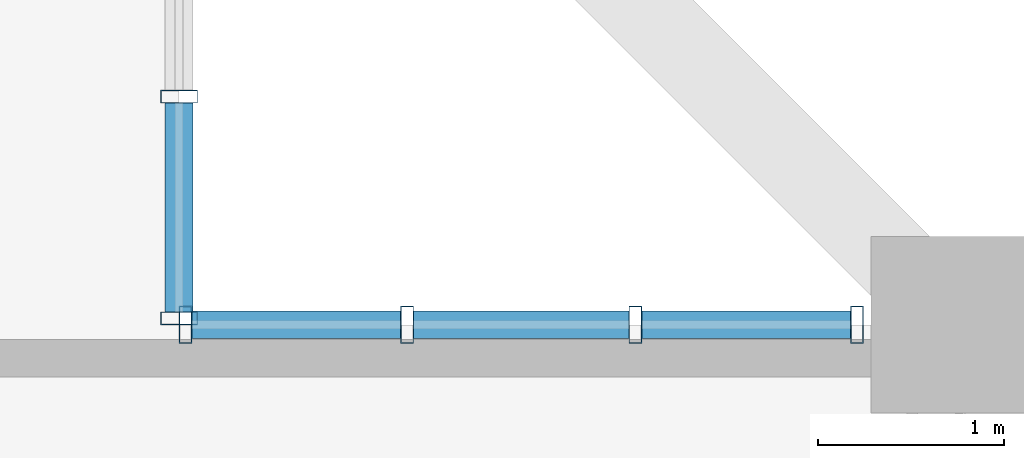
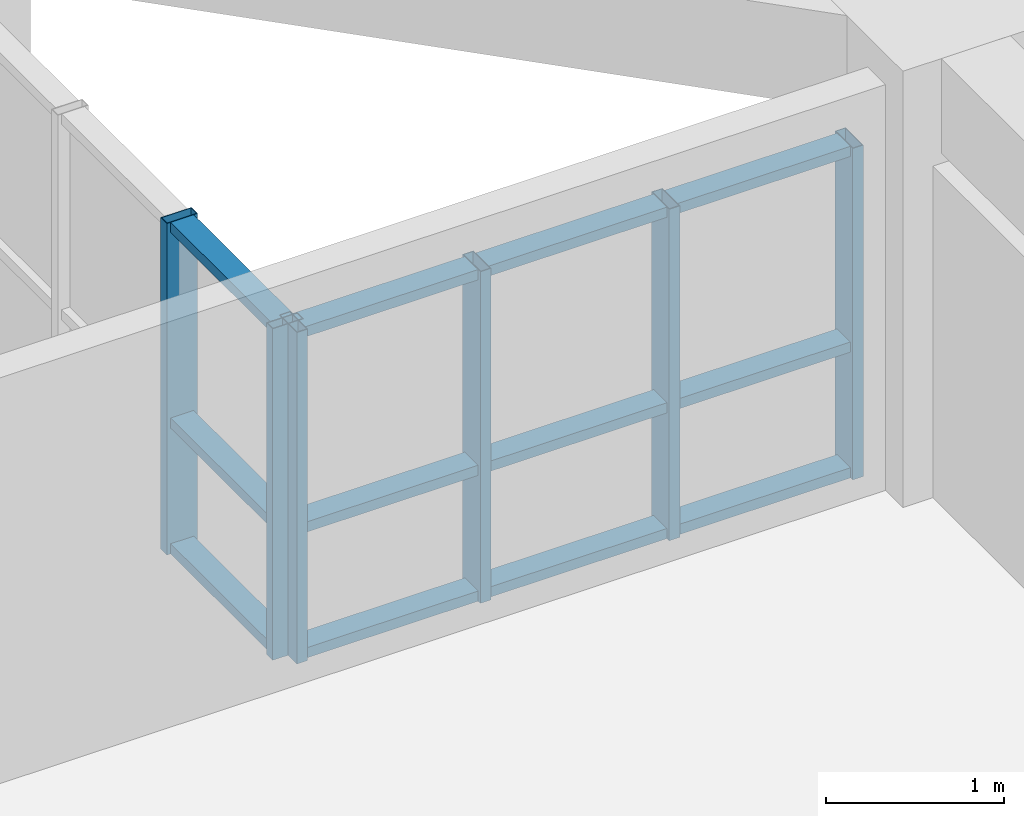
# One storey, part 10 of 24: 18 members, 2 elements without a shape of their own.
"""IFC4 building model written with IfcOpenShell, lengths in metres."""

from ifc_helpers import new_model, si_unit, direction, frame, origin, origin_2d, place, context, subcontext, project, spatial, hollow_rectangle, extrude, source, transform, mapped, material, layer, layer_set, material_profile, profile_set, type_object, element, aggregate, save


model = new_model("IFC4")

# Units and contexts
model_context = context("Model", 3, precision=1e-05, world=origin(), true_north=direction((0.0, 1.0)))
body_context = subcontext(model_context, "Body", "Model", "MODEL_VIEW")
ifc_project = project(units=[si_unit("LENGTHUNIT", "METRE"), si_unit("AREAUNIT", "SQUARE_METRE"), si_unit("VOLUMEUNIT", "CUBIC_METRE"), si_unit("PLANEANGLEUNIT", "RADIAN"), si_unit("MASSUNIT", "GRAM", prefix="KILO")], contexts=[model_context])

# Site, building, storey
site_placement = place(None, origin())
site = spatial("IfcSite", under=ifc_project, at=site_placement, CompositionType="ELEMENT")
building_placement = place(site_placement, origin())
building = spatial("IfcBuilding", under=site, at=building_placement, Name="Saelheon Loggia Tower", CompositionType="ELEMENT")
storey_placement = place(building_placement, frame((0.0, 0.0, 126.75)))
storey = spatial("IfcBuildingStorey", under=building, at=storey_placement, Name="L40", CompositionType="ELEMENT", Elevation=126.75)

# Curtain wall, members
ifc_material_1 = material(Name="High-Wind Aluminium and Triple Laminated Glass", Category="aluminium")
ifc_layer = layer(ifc_material_1, 0.179931640625)
ifc_layer_set = layer_set([ifc_layer], Name="High-Wind Aluminium and Triple Laminated Glass")
curtain_wall_type = type_object("IfcCurtainWallType", Name="CW_TowerLoggiaHigh", PredefinedType="NOTDEFINED", material=ifc_layer_set)
curtain_wall_1_placement = place(storey_placement, origin())
curtain_wall_1 = element("IfcCurtainWall", 1, at=curtain_wall_1_placement, inside=storey, type_object=curtain_wall_type, Name="L40 Corner Notch Glazing NE1", PredefinedType="NOTDEFINED")
ifc_material_2 = material(Name="Anodised Aluminium 6063-T6", Category="aluminium")
ifc_material_profile_1 = material_profile(ifc_material_2, hollow_rectangle(XDim=0.070068359375, YDim=0.199951171875, WallThickness=0.0048828125, at=origin_2d()), Name="RHS-200x70x5")
ifc_profile_set_1 = profile_set([ifc_material_profile_1], Name="Anodised Aluminium 6063-T6")
member_type_1 = type_object("IfcMemberType", Name="CW_TowerLoggiaHigh_Mullion", PredefinedType="MULLION", material=ifc_profile_set_1)
shared_shape_1 = source(origin(), body_context, "Body", "SweptSolid", [
    extrude(hollow_rectangle(XDim=0.070068359375, YDim=0.199951171875, WallThickness=0.0048828125, at=origin_2d()), origin(), (0.0, 0.0, 1.0), 2.280029296875),
])
member_1_placement = place(storey_placement, frame((59.800048828125, 46.8349609375, 0.0), z_axis=(0.0, 0.0, 1.0), x_axis=(0.0, 1.0, 0.0)))
member_1 = element("IfcMember", 2, at=member_1_placement, type_object=member_type_1, Name="CW4 mullion 1", PredefinedType="MULLION", context=body_context, shape_type="MappedRepresentation", body=[
    mapped(shared_shape_1, transform((0.0, 0.0, 0.0), scale=1.0)),
])
member_2_placement = place(storey_placement, frame((59.800048828125, 48.0283203125, 0.0), z_axis=(0.0, 0.0, 1.0), x_axis=(0.0, 1.0, 0.0)))
member_2 = element("IfcMember", 3, at=member_2_placement, type_object=member_type_1, Name="CW4 mullion 2", PredefinedType="MULLION", context=body_context, shape_type="MappedRepresentation", body=[
    mapped(shared_shape_1, transform((0.0, 0.0, 0.0), scale=1.0)),
])

curtain_wall_2_placement = place(storey_placement, origin())
curtain_wall_2 = element("IfcCurtainWall", 4, at=curtain_wall_2_placement, inside=storey, type_object=curtain_wall_type, Name="L40 Corner Notch Glazing NE2", PredefinedType="NOTDEFINED")
member_3_placement = place(storey_placement, frame((59.8349609375, 46.800048828125, 0.0), z_axis=(0.0, 0.0, 1.0), x_axis=(1.0, 0.0, 0.0)))
member_3 = element("IfcMember", 5, at=member_3_placement, type_object=member_type_1, Name="CW4 mullion 1", PredefinedType="MULLION", context=body_context, shape_type="MappedRepresentation", body=[
    mapped(shared_shape_1, transform((0.0, 0.0, 0.0), scale=1.0)),
])
member_4_placement = place(storey_placement, frame((61.0283203125, 46.800048828125, 0.0), z_axis=(0.0, 0.0, 1.0), x_axis=(1.0, 0.0, 0.0)))
member_4 = element("IfcMember", 6, at=member_4_placement, type_object=member_type_1, Name="CW4 mullion 2", PredefinedType="MULLION", context=body_context, shape_type="MappedRepresentation", body=[
    mapped(shared_shape_1, transform((0.0, 0.0, 0.0), scale=1.0)),
])
member_5_placement = place(storey_placement, frame((62.256591796875, 46.800048828125, 0.0), z_axis=(0.0, 0.0, 1.0), x_axis=(1.0, 0.0, 0.0)))
member_5 = element("IfcMember", 7, at=member_5_placement, type_object=member_type_1, Name="CW4 mullion 3", PredefinedType="MULLION", context=body_context, shape_type="MappedRepresentation", body=[
    mapped(shared_shape_1, transform((0.0, 0.0, 0.0), scale=1.0)),
])
member_6_placement = place(storey_placement, frame((63.449951171875, 46.800048828125, 0.0), z_axis=(0.0, 0.0, 1.0), x_axis=(1.0, 0.0, 0.0)))
member_6 = element("IfcMember", 8, at=member_6_placement, type_object=member_type_1, Name="CW4 mullion 4", PredefinedType="MULLION", context=body_context, shape_type="MappedRepresentation", body=[
    mapped(shared_shape_1, transform((0.0, 0.0, 0.0), scale=1.0)),
])

# Member
ifc_material_profile_2 = material_profile(ifc_material_2, hollow_rectangle(XDim=0.070068359375, YDim=0.14990234375, WallThickness=0.0048828125, at=origin_2d()), Name="RHS-150x70x5")
ifc_profile_set_2 = profile_set([ifc_material_profile_2], Name="Anodised Aluminium 6063-T6")
member_type_2 = type_object("IfcMemberType", Name="CW_TowerLoggiaHigh_Transom", PredefinedType="USERDEFINED", material=ifc_profile_set_2)
shared_shape_2 = source(origin(), body_context, "Body", "SweptSolid", [
    extrude(hollow_rectangle(XDim=0.070068359375, YDim=0.14990234375, WallThickness=0.0048828125, at=origin_2d()), origin(), (0.0, 0.0, 1.0), 1.123291015625),
])
member_7_placement = place(storey_placement, frame((59.800048828125, 46.8701171875, 0.034912109375), z_axis=(0.0, 1.0, 0.0), x_axis=(0.0, 0.0, 1.0)))
member_7 = element("IfcMember", 9, at=member_7_placement, type_object=member_type_2, Name="CW4 transom 1.1", ObjectType="TRANSOM", PredefinedType="USERDEFINED", context=body_context, shape_type="MappedRepresentation", body=[
    mapped(shared_shape_2, transform((0.0, 0.0, 0.0), scale=1.0)),
])

member_8_placement = place(storey_placement, frame((59.800048828125, 46.8701171875, 0.89990234375), z_axis=(0.0, 1.0, 0.0), x_axis=(0.0, 0.0, 1.0)))
member_8 = element("IfcMember", 10, at=member_8_placement, type_object=member_type_2, Name="CW4 transom 1.2", ObjectType="TRANSOM", PredefinedType="USERDEFINED", context=body_context, shape_type="MappedRepresentation", body=[
    mapped(shared_shape_2, transform((0.0, 0.0, 0.0), scale=1.0)),
])

member_9_placement = place(storey_placement, frame((59.800048828125, 46.8701171875, 2.2451171875), z_axis=(0.0, 1.0, 0.0), x_axis=(0.0, 0.0, 1.0)))
member_9 = element("IfcMember", 11, at=member_9_placement, type_object=member_type_2, Name="CW4 transom 1.3", ObjectType="TRANSOM", PredefinedType="USERDEFINED", context=body_context, shape_type="MappedRepresentation", body=[
    mapped(shared_shape_2, transform((0.0, 0.0, 0.0), scale=1.0)),
])

aggregate(curtain_wall_1, [member_1, member_2, member_7, member_8, member_9])

member_10_placement = place(storey_placement, frame((59.8701171875, 46.800048828125, 0.034912109375), z_axis=(1.0, 0.0, 0.0), x_axis=(0.0, 0.0, 1.0)))
member_10 = element("IfcMember", 12, at=member_10_placement, type_object=member_type_2, Name="CW4 transom 1.1", ObjectType="TRANSOM", PredefinedType="USERDEFINED", context=body_context, shape_type="MappedRepresentation", body=[
    mapped(shared_shape_2, transform((0.0, 0.0, 0.0), scale=1.0)),
])

member_11_placement = place(storey_placement, frame((59.8701171875, 46.800048828125, 0.89990234375), z_axis=(1.0, 0.0, 0.0), x_axis=(0.0, 0.0, 1.0)))
member_11 = element("IfcMember", 13, at=member_11_placement, type_object=member_type_2, Name="CW4 transom 1.2", ObjectType="TRANSOM", PredefinedType="USERDEFINED", context=body_context, shape_type="MappedRepresentation", body=[
    mapped(shared_shape_2, transform((0.0, 0.0, 0.0), scale=1.0)),
])

member_12_placement = place(storey_placement, frame((59.8701171875, 46.800048828125, 2.2451171875), z_axis=(1.0, 0.0, 0.0), x_axis=(0.0, 0.0, 1.0)))
member_12 = element("IfcMember", 14, at=member_12_placement, type_object=member_type_2, Name="CW4 transom 1.3", ObjectType="TRANSOM", PredefinedType="USERDEFINED", context=body_context, shape_type="MappedRepresentation", body=[
    mapped(shared_shape_2, transform((0.0, 0.0, 0.0), scale=1.0)),
])

member_13_placement = place(storey_placement, frame((62.291748046875, 46.800048828125, 0.034912109375), z_axis=(1.0, 0.0, 0.0), x_axis=(0.0, 0.0, 1.0)))
member_13 = element("IfcMember", 15, at=member_13_placement, type_object=member_type_2, Name="CW4 transom 3.1", ObjectType="TRANSOM", PredefinedType="USERDEFINED", context=body_context, shape_type="MappedRepresentation", body=[
    mapped(shared_shape_2, transform((0.0, 0.0, 0.0), scale=1.0)),
])

member_14_placement = place(storey_placement, frame((62.291748046875, 46.800048828125, 0.89990234375), z_axis=(1.0, 0.0, 0.0), x_axis=(0.0, 0.0, 1.0)))
member_14 = element("IfcMember", 16, at=member_14_placement, type_object=member_type_2, Name="CW4 transom 3.2", ObjectType="TRANSOM", PredefinedType="USERDEFINED", context=body_context, shape_type="MappedRepresentation", body=[
    mapped(shared_shape_2, transform((0.0, 0.0, 0.0), scale=1.0)),
])

member_15_placement = place(storey_placement, frame((62.291748046875, 46.800048828125, 2.2451171875), z_axis=(1.0, 0.0, 0.0), x_axis=(0.0, 0.0, 1.0)))
member_15 = element("IfcMember", 17, at=member_15_placement, type_object=member_type_2, Name="CW4 transom 3.3", ObjectType="TRANSOM", PredefinedType="USERDEFINED", context=body_context, shape_type="MappedRepresentation", body=[
    mapped(shared_shape_2, transform((0.0, 0.0, 0.0), scale=1.0)),
])

shared_shape_3 = source(origin(), body_context, "Body", "SweptSolid", [
    extrude(hollow_rectangle(XDim=0.070068359375, YDim=0.14990234375, WallThickness=0.0048828125, at=origin_2d()), origin(), (0.0, 0.0, 1.0), 1.158447265625),
])
member_16_placement = place(storey_placement, frame((61.063232421875, 46.800048828125, 0.034912109375), z_axis=(1.0, 0.0, 0.0), x_axis=(0.0, 0.0, 1.0)))
member_16 = element("IfcMember", 18, at=member_16_placement, type_object=member_type_2, Name="CW4 transom 2.1", ObjectType="TRANSOM", PredefinedType="USERDEFINED", context=body_context, shape_type="MappedRepresentation", body=[
    mapped(shared_shape_3, transform((0.0, 0.0, 0.0), scale=1.0)),
])

member_17_placement = place(storey_placement, frame((61.063232421875, 46.800048828125, 0.89990234375), z_axis=(1.0, 0.0, 0.0), x_axis=(0.0, 0.0, 1.0)))
member_17 = element("IfcMember", 19, at=member_17_placement, type_object=member_type_2, Name="CW4 transom 2.2", ObjectType="TRANSOM", PredefinedType="USERDEFINED", context=body_context, shape_type="MappedRepresentation", body=[
    mapped(shared_shape_3, transform((0.0, 0.0, 0.0), scale=1.0)),
])

member_18_placement = place(storey_placement, frame((61.063232421875, 46.800048828125, 2.2451171875), z_axis=(1.0, 0.0, 0.0), x_axis=(0.0, 0.0, 1.0)))
member_18 = element("IfcMember", 20, at=member_18_placement, type_object=member_type_2, Name="CW4 transom 2.3", ObjectType="TRANSOM", PredefinedType="USERDEFINED", context=body_context, shape_type="MappedRepresentation", body=[
    mapped(shared_shape_3, transform((0.0, 0.0, 0.0), scale=1.0)),
])

aggregate(curtain_wall_2, [member_3, member_4, member_5, member_6, member_10, member_11, member_12, member_16, member_17, member_18, member_13, member_14, member_15])

save(model, "model.ifc")
